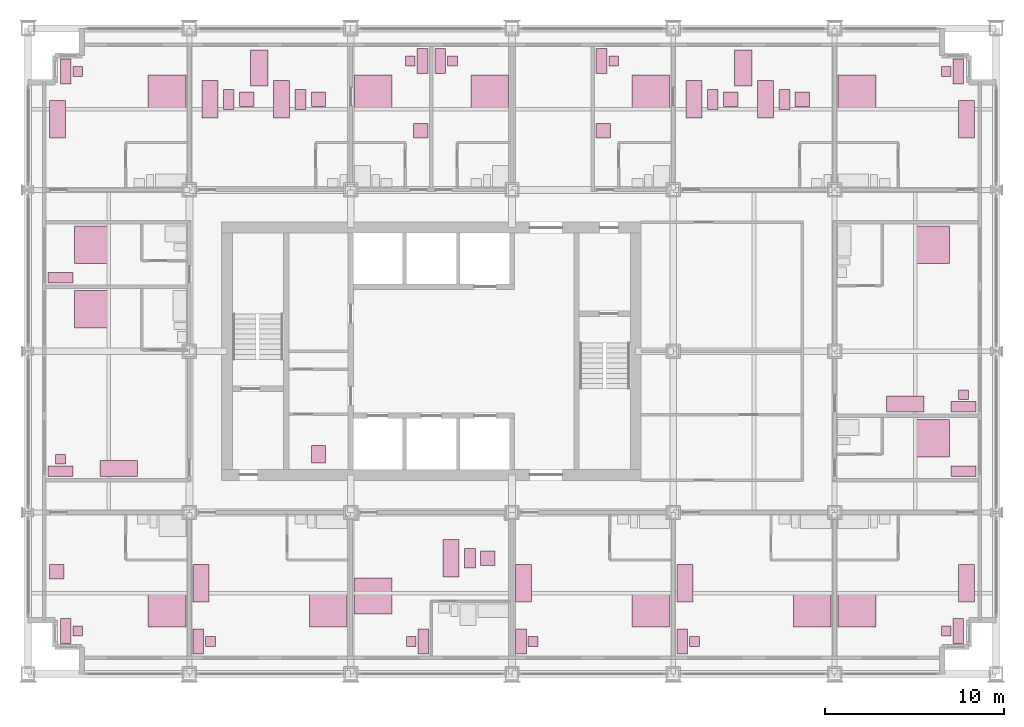
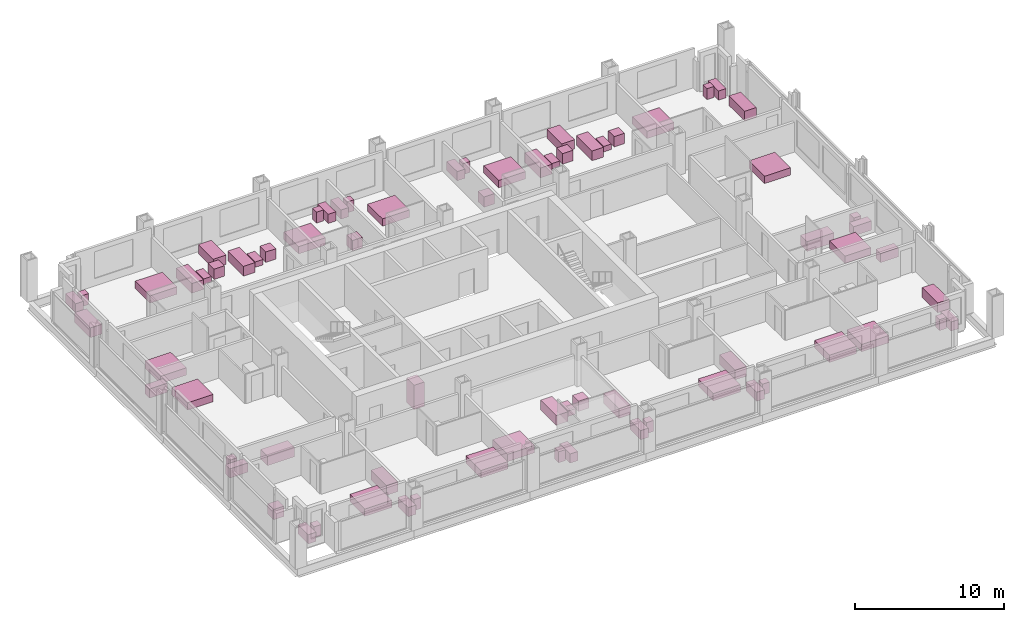
# One storey, part 18 of 18: 72 furniture elements.
"""IFC4 building model written with IfcOpenShell, lengths in metres."""

from ifc_helpers import new_model, si_unit, direction, frame, origin, origin_2d, place, context, subcontext, project, spatial, rectangle, extrude, element, save


model = new_model("IFC4")

# Units and contexts
model_context = context("Model", 3, precision=1e-05, world=origin(), true_north=direction((0.0, 1.0)))
body_context = subcontext(model_context, "Body", "Model", "MODEL_VIEW")
ifc_project = project(units=[si_unit("LENGTHUNIT", "METRE"), si_unit("AREAUNIT", "SQUARE_METRE"), si_unit("VOLUMEUNIT", "CUBIC_METRE"), si_unit("PLANEANGLEUNIT", "RADIAN"), si_unit("MASSUNIT", "GRAM", prefix="KILO")], contexts=[model_context])

# Site, building, storey
site_placement = place(None, origin())
site = spatial("IfcSite", under=ifc_project, at=site_placement, CompositionType="ELEMENT")
building_placement = place(site_placement, origin())
building = spatial("IfcBuilding", under=site, at=building_placement, Name="Loomwork Tower", CompositionType="ELEMENT")
storey_placement = place(building_placement, frame((0.0, 0.0, 45.0)))
storey = spatial("IfcBuildingStorey", under=building, at=storey_placement, Name="L10", CompositionType="ELEMENT", Elevation=45.0)

# Furniture
furniture_1_placement = place(storey_placement, frame((7.75, 3.60009765625, 0.0), z_axis=(0.0, 0.0, 1.0), x_axis=(1.0, 0.0, 0.0)))
element("IfcFurniture", 1, at=furniture_1_placement, inside=storey, Name="King bed L10", PredefinedType="BED", context=body_context, shape_type="SweptSolid", body=[
    extrude(rectangle(XDim=2.10009765625, YDim=2.0, at=origin_2d()), origin(), (0.0, 0.0, 1.0), 0.60009765625),
])
furniture_2_placement = place(storey_placement, frame((2.10009765625, 2.39990234375, 0.0), z_axis=(0.0, 0.0, 1.0), x_axis=(1.0, 0.0, 0.0)))
element("IfcFurniture", 2, at=furniture_2_placement, inside=storey, Name="Writing desk L10", PredefinedType="DESK", context=body_context, shape_type="SweptSolid", body=[
    extrude(rectangle(XDim=0.60009765625, YDim=1.39990234375, at=origin_2d()), origin(), (0.0, 0.0, 1.0), 0.75),
])
furniture_3_placement = place(storey_placement, frame((2.77490234375, 2.39990234375, 0.0), z_axis=(0.0, 0.0, 1.0), x_axis=(1.0, 0.0, 0.0)))
element("IfcFurniture", 3, at=furniture_3_placement, inside=storey, Name="Desk chair L10", PredefinedType="CHAIR", context=body_context, shape_type="SweptSolid", body=[
    extrude(rectangle(XDim=0.550048828125, YDim=0.550048828125, at=origin_2d()), origin(), (0.0, 0.0, 1.0), 0.89990234375),
])
furniture_4_placement = place(storey_placement, frame((1.60009765625, 5.699951171875, 0.0), z_axis=(0.0, 0.0, 1.0), x_axis=(1.0, 0.0, 0.0)))
element("IfcFurniture", 4, at=furniture_4_placement, inside=storey, Name="Lounge armchair L10", PredefinedType="CHAIR", context=body_context, shape_type="SweptSolid", body=[
    extrude(rectangle(XDim=0.800048828125, YDim=0.800048828125, at=origin_2d()), origin(), (0.0, 0.0, 1.0), 0.85009765625),
])
furniture_5_placement = place(storey_placement, frame((16.75, 3.60009765625, 0.0), z_axis=(0.0, 0.0, 1.0), x_axis=(1.0, 0.0, 0.0)))
element("IfcFurniture", 5, at=furniture_5_placement, inside=storey, Name="King bed L10", PredefinedType="BED", context=body_context, shape_type="SweptSolid", body=[
    extrude(rectangle(XDim=2.10009765625, YDim=2.0, at=origin_2d()), origin(), (0.0, 0.0, 1.0), 0.60009765625),
])
furniture_6_placement = place(storey_placement, frame((9.5, 1.800048828125, 0.0), z_axis=(0.0, 0.0, 1.0), x_axis=(1.0, 0.0, 0.0)))
element("IfcFurniture", 6, at=furniture_6_placement, inside=storey, Name="Writing desk L10", PredefinedType="DESK", context=body_context, shape_type="SweptSolid", body=[
    extrude(rectangle(XDim=0.60009765625, YDim=1.39990234375, at=origin_2d()), origin(), (0.0, 0.0, 1.0), 0.75),
])
furniture_7_placement = place(storey_placement, frame((10.175048828125, 1.800048828125, 0.0), z_axis=(0.0, 0.0, 1.0), x_axis=(1.0, 0.0, 0.0)))
element("IfcFurniture", 7, at=furniture_7_placement, inside=storey, Name="Desk chair L10", PredefinedType="CHAIR", context=body_context, shape_type="SweptSolid", body=[
    extrude(rectangle(XDim=0.550048828125, YDim=0.550048828125, at=origin_2d()), origin(), (0.0, 0.0, 1.0), 0.89990234375),
])
furniture_8_placement = place(storey_placement, frame((9.64990234375, 5.050048828125, 0.0), z_axis=(0.0, 0.0, 1.0), x_axis=(1.0, 0.0, 0.0)))
element("IfcFurniture", 8, at=furniture_8_placement, inside=storey, Name="Sofa L10", PredefinedType="SOFA", context=body_context, shape_type="SweptSolid", body=[
    extrude(rectangle(XDim=0.89990234375, YDim=2.10009765625, at=origin_2d()), origin(), (0.0, 0.0, 1.0), 0.800048828125),
])
furniture_9_placement = place(storey_placement, frame((19.25, 4.35009765625, 0.0), z_axis=(0.0, 0.0, 1.0), x_axis=(1.0, 0.0, 0.0)))
element("IfcFurniture", 9, at=furniture_9_placement, inside=storey, Name="King bed L10", PredefinedType="BED", context=body_context, shape_type="SweptSolid", body=[
    extrude(rectangle(XDim=2.10009765625, YDim=2.0, at=origin_2d()), origin(), (0.0, 0.0, 1.0), 0.60009765625),
])
furniture_10_placement = place(storey_placement, frame((22.050048828125, 1.800048828125, 0.0), z_axis=(0.0, 0.0, 1.0), x_axis=(1.0, 0.0, 0.0)))
element("IfcFurniture", 10, at=furniture_10_placement, inside=storey, Name="Writing desk L10", PredefinedType="DESK", context=body_context, shape_type="SweptSolid", body=[
    extrude(rectangle(XDim=0.60009765625, YDim=1.39990234375, at=origin_2d()), origin(), (0.0, 0.0, 1.0), 0.75),
])
furniture_11_placement = place(storey_placement, frame((21.375, 1.800048828125, 0.0), z_axis=(0.0, 0.0, 1.0), x_axis=(1.0, 0.0, 0.0)))
element("IfcFurniture", 11, at=furniture_11_placement, inside=storey, Name="Desk chair L10", PredefinedType="CHAIR", context=body_context, shape_type="SweptSolid", body=[
    extrude(rectangle(XDim=0.550048828125, YDim=0.550048828125, at=origin_2d()), origin(), (0.0, 0.0, 1.0), 0.89990234375),
])
furniture_12_placement = place(storey_placement, frame((23.60009765625, 6.449951171875, 0.0), z_axis=(0.0, 0.0, 1.0), x_axis=(1.0, 0.0, 0.0)))
element("IfcFurniture", 12, at=furniture_12_placement, inside=storey, Name="Sofa L10", PredefinedType="SOFA", context=body_context, shape_type="SweptSolid", body=[
    extrude(rectangle(XDim=0.89990234375, YDim=2.10009765625, at=origin_2d()), origin(), (0.0, 0.0, 1.0), 0.800048828125),
])
furniture_13_placement = place(storey_placement, frame((24.64990234375, 6.449951171875, 0.0), z_axis=(0.0, 0.0, 1.0), x_axis=(1.0, 0.0, 0.0)))
element("IfcFurniture", 13, at=furniture_13_placement, inside=storey, Name="Coffee table L10", PredefinedType="TABLE", context=body_context, shape_type="SweptSolid", body=[
    extrude(rectangle(XDim=0.60009765625, YDim=1.10009765625, at=origin_2d()), origin(), (0.0, 0.0, 1.0), 0.449951171875),
])
furniture_14_placement = place(storey_placement, frame((25.64990234375, 6.449951171875, 0.0), z_axis=(0.0, 0.0, 1.0), x_axis=(1.0, 0.0, 0.0)))
element("IfcFurniture", 14, at=furniture_14_placement, inside=storey, Name="Lounge armchair L10", PredefinedType="CHAIR", context=body_context, shape_type="SweptSolid", body=[
    extrude(rectangle(XDim=0.800048828125, YDim=0.800048828125, at=origin_2d()), origin(), (0.0, 0.0, 1.0), 0.85009765625),
])
furniture_15_placement = place(storey_placement, frame((34.75, 3.60009765625, 0.0), z_axis=(0.0, 0.0, 1.0), x_axis=(1.0, 0.0, 0.0)))
element("IfcFurniture", 15, at=furniture_15_placement, inside=storey, Name="King bed L10", PredefinedType="BED", context=body_context, shape_type="SweptSolid", body=[
    extrude(rectangle(XDim=2.10009765625, YDim=2.0, at=origin_2d()), origin(), (0.0, 0.0, 1.0), 0.60009765625),
])
furniture_16_placement = place(storey_placement, frame((27.5, 1.800048828125, 0.0), z_axis=(0.0, 0.0, 1.0), x_axis=(1.0, 0.0, 0.0)))
element("IfcFurniture", 16, at=furniture_16_placement, inside=storey, Name="Writing desk L10", PredefinedType="DESK", context=body_context, shape_type="SweptSolid", body=[
    extrude(rectangle(XDim=0.60009765625, YDim=1.39990234375, at=origin_2d()), origin(), (0.0, 0.0, 1.0), 0.75),
])
furniture_17_placement = place(storey_placement, frame((28.175048828125, 1.800048828125, 0.0), z_axis=(0.0, 0.0, 1.0), x_axis=(1.0, 0.0, 0.0)))
element("IfcFurniture", 17, at=furniture_17_placement, inside=storey, Name="Desk chair L10", PredefinedType="CHAIR", context=body_context, shape_type="SweptSolid", body=[
    extrude(rectangle(XDim=0.550048828125, YDim=0.550048828125, at=origin_2d()), origin(), (0.0, 0.0, 1.0), 0.89990234375),
])
furniture_18_placement = place(storey_placement, frame((27.64990234375, 5.050048828125, 0.0), z_axis=(0.0, 0.0, 1.0), x_axis=(1.0, 0.0, 0.0)))
element("IfcFurniture", 18, at=furniture_18_placement, inside=storey, Name="Sofa L10", PredefinedType="SOFA", context=body_context, shape_type="SweptSolid", body=[
    extrude(rectangle(XDim=0.89990234375, YDim=2.10009765625, at=origin_2d()), origin(), (0.0, 0.0, 1.0), 0.800048828125),
])
furniture_19_placement = place(storey_placement, frame((43.75, 3.60009765625, 0.0), z_axis=(0.0, 0.0, 1.0), x_axis=(1.0, 0.0, 0.0)))
element("IfcFurniture", 19, at=furniture_19_placement, inside=storey, Name="King bed L10", PredefinedType="BED", context=body_context, shape_type="SweptSolid", body=[
    extrude(rectangle(XDim=2.10009765625, YDim=2.0, at=origin_2d()), origin(), (0.0, 0.0, 1.0), 0.60009765625),
])
furniture_20_placement = place(storey_placement, frame((36.5, 1.800048828125, 0.0), z_axis=(0.0, 0.0, 1.0), x_axis=(1.0, 0.0, 0.0)))
element("IfcFurniture", 20, at=furniture_20_placement, inside=storey, Name="Writing desk L10", PredefinedType="DESK", context=body_context, shape_type="SweptSolid", body=[
    extrude(rectangle(XDim=0.60009765625, YDim=1.39990234375, at=origin_2d()), origin(), (0.0, 0.0, 1.0), 0.75),
])
furniture_21_placement = place(storey_placement, frame((37.175048828125, 1.800048828125, 0.0), z_axis=(0.0, 0.0, 1.0), x_axis=(1.0, 0.0, 0.0)))
element("IfcFurniture", 21, at=furniture_21_placement, inside=storey, Name="Desk chair L10", PredefinedType="CHAIR", context=body_context, shape_type="SweptSolid", body=[
    extrude(rectangle(XDim=0.550048828125, YDim=0.550048828125, at=origin_2d()), origin(), (0.0, 0.0, 1.0), 0.89990234375),
])
furniture_22_placement = place(storey_placement, frame((36.64990234375, 5.050048828125, 0.0), z_axis=(0.0, 0.0, 1.0), x_axis=(1.0, 0.0, 0.0)))
element("IfcFurniture", 22, at=furniture_22_placement, inside=storey, Name="Sofa L10", PredefinedType="SOFA", context=body_context, shape_type="SweptSolid", body=[
    extrude(rectangle(XDim=0.89990234375, YDim=2.10009765625, at=origin_2d()), origin(), (0.0, 0.0, 1.0), 0.800048828125),
])
furniture_23_placement = place(storey_placement, frame((46.25, 3.60009765625, 0.0), z_axis=(0.0, 0.0, 1.0), x_axis=(1.0, 0.0, 0.0)))
element("IfcFurniture", 23, at=furniture_23_placement, inside=storey, Name="King bed L10", PredefinedType="BED", context=body_context, shape_type="SweptSolid", body=[
    extrude(rectangle(XDim=2.10009765625, YDim=2.0, at=origin_2d()), origin(), (0.0, 0.0, 1.0), 0.60009765625),
])
furniture_24_placement = place(storey_placement, frame((51.89990234375, 2.39990234375, 0.0), z_axis=(0.0, 0.0, 1.0), x_axis=(1.0, 0.0, 0.0)))
element("IfcFurniture", 24, at=furniture_24_placement, inside=storey, Name="Writing desk L10", PredefinedType="DESK", context=body_context, shape_type="SweptSolid", body=[
    extrude(rectangle(XDim=0.60009765625, YDim=1.39990234375, at=origin_2d()), origin(), (0.0, 0.0, 1.0), 0.75),
])
furniture_25_placement = place(storey_placement, frame((51.22509765625, 2.39990234375, 0.0), z_axis=(0.0, 0.0, 1.0), x_axis=(1.0, 0.0, 0.0)))
element("IfcFurniture", 25, at=furniture_25_placement, inside=storey, Name="Desk chair L10", PredefinedType="CHAIR", context=body_context, shape_type="SweptSolid", body=[
    extrude(rectangle(XDim=0.550048828125, YDim=0.550048828125, at=origin_2d()), origin(), (0.0, 0.0, 1.0), 0.89990234375),
])
furniture_26_placement = place(storey_placement, frame((52.35009765625, 5.050048828125, 0.0), z_axis=(0.0, 0.0, 1.0), x_axis=(1.0, 0.0, 0.0)))
element("IfcFurniture", 26, at=furniture_26_placement, inside=storey, Name="Sofa L10", PredefinedType="SOFA", context=body_context, shape_type="SweptSolid", body=[
    extrude(rectangle(XDim=0.89990234375, YDim=2.10009765625, at=origin_2d()), origin(), (0.0, 0.0, 1.0), 0.800048828125),
])
furniture_27_placement = place(storey_placement, frame((7.75, 32.39990234375, 0.0), z_axis=(0.0, 0.0, 1.0), x_axis=(1.0, 0.0, 0.0)))
element("IfcFurniture", 27, at=furniture_27_placement, inside=storey, Name="King bed L10", PredefinedType="BED", context=body_context, shape_type="SweptSolid", body=[
    extrude(rectangle(XDim=2.10009765625, YDim=2.0, at=origin_2d()), origin(), (0.0, 0.0, 1.0), 0.60009765625),
])
furniture_28_placement = place(storey_placement, frame((2.10009765625, 33.60009765625, 0.0), z_axis=(0.0, 0.0, 1.0), x_axis=(1.0, 0.0, 0.0)))
element("IfcFurniture", 28, at=furniture_28_placement, inside=storey, Name="Writing desk L10", PredefinedType="DESK", context=body_context, shape_type="SweptSolid", body=[
    extrude(rectangle(XDim=0.60009765625, YDim=1.39990234375, at=origin_2d()), origin(), (0.0, 0.0, 1.0), 0.75),
])
furniture_29_placement = place(storey_placement, frame((2.77490234375, 33.60009765625, 0.0), z_axis=(0.0, 0.0, 1.0), x_axis=(1.0, 0.0, 0.0)))
element("IfcFurniture", 29, at=furniture_29_placement, inside=storey, Name="Desk chair L10", PredefinedType="CHAIR", context=body_context, shape_type="SweptSolid", body=[
    extrude(rectangle(XDim=0.550048828125, YDim=0.550048828125, at=origin_2d()), origin(), (0.0, 0.0, 1.0), 0.89990234375),
])
for number, where, z_axis, x_axis, name in (
    (30, (1.64990234375, 30.949951171875, 0.0), (0.0, 0.0, 1.0), (1.0, 0.0, 0.0), "Sofa L10"),
    (31, (10.14990234375, 32.050048828125, 0.0), (0.0, 0.0, 1.0), (1.0, 0.0, 0.0), "Sofa L10"),
):
    element("IfcFurniture", number, at=place(storey_placement, frame(where, z_axis=z_axis, x_axis=x_axis)), inside=storey, Name=name, PredefinedType="SOFA", context=body_context, shape_type="SweptSolid", body=[
        extrude(rectangle(XDim=0.89990234375, YDim=2.10009765625, at=origin_2d()), origin(), (0.0, 0.0, 1.0), 0.800048828125),
    ])
furniture_30_placement = place(storey_placement, frame((11.199951171875, 32.050048828125, 0.0), z_axis=(0.0, 0.0, 1.0), x_axis=(1.0, 0.0, 0.0)))
element("IfcFurniture", 32, at=furniture_30_placement, inside=storey, Name="Coffee table L10", PredefinedType="TABLE", context=body_context, shape_type="SweptSolid", body=[
    extrude(rectangle(XDim=0.60009765625, YDim=1.10009765625, at=origin_2d()), origin(), (0.0, 0.0, 1.0), 0.449951171875),
])
furniture_31_placement = place(storey_placement, frame((12.199951171875, 32.050048828125, 0.0), z_axis=(0.0, 0.0, 1.0), x_axis=(1.0, 0.0, 0.0)))
element("IfcFurniture", 33, at=furniture_31_placement, inside=storey, Name="Lounge armchair L10", PredefinedType="CHAIR", context=body_context, shape_type="SweptSolid", body=[
    extrude(rectangle(XDim=0.800048828125, YDim=0.800048828125, at=origin_2d()), origin(), (0.0, 0.0, 1.0), 0.85009765625),
])
furniture_32_placement = place(storey_placement, frame((14.14990234375, 32.050048828125, 0.0), z_axis=(0.0, 0.0, 1.0), x_axis=(1.0, 0.0, 0.0)))
element("IfcFurniture", 34, at=furniture_32_placement, inside=storey, Name="Sofa L10", PredefinedType="SOFA", context=body_context, shape_type="SweptSolid", body=[
    extrude(rectangle(XDim=0.89990234375, YDim=2.10009765625, at=origin_2d()), origin(), (0.0, 0.0, 1.0), 0.800048828125),
])
furniture_33_placement = place(storey_placement, frame((15.199951171875, 32.050048828125, 0.0), z_axis=(0.0, 0.0, 1.0), x_axis=(1.0, 0.0, 0.0)))
element("IfcFurniture", 35, at=furniture_33_placement, inside=storey, Name="Coffee table L10", PredefinedType="TABLE", context=body_context, shape_type="SweptSolid", body=[
    extrude(rectangle(XDim=0.60009765625, YDim=1.10009765625, at=origin_2d()), origin(), (0.0, 0.0, 1.0), 0.449951171875),
])
furniture_34_placement = place(storey_placement, frame((16.199951171875, 32.050048828125, 0.0), z_axis=(0.0, 0.0, 1.0), x_axis=(1.0, 0.0, 0.0)))
element("IfcFurniture", 36, at=furniture_34_placement, inside=storey, Name="Lounge armchair L10", PredefinedType="CHAIR", context=body_context, shape_type="SweptSolid", body=[
    extrude(rectangle(XDim=0.800048828125, YDim=0.800048828125, at=origin_2d()), origin(), (0.0, 0.0, 1.0), 0.85009765625),
])
furniture_35_placement = place(storey_placement, frame((12.89990234375, 33.800048828125, 0.0), z_axis=(0.0, 0.0, 1.0), x_axis=(1.0, 0.0, 0.0)))
element("IfcFurniture", 37, at=furniture_35_placement, inside=storey, Name="Dining table L10", PredefinedType="TABLE", context=body_context, shape_type="SweptSolid", body=[
    extrude(rectangle(XDim=1.0, YDim=2.0, at=origin_2d()), origin(), (0.0, 0.0, 1.0), 0.75),
])
furniture_36_placement = place(storey_placement, frame((19.25, 32.39990234375, 0.0), z_axis=(0.0, 0.0, 1.0), x_axis=(1.0, 0.0, 0.0)))
element("IfcFurniture", 38, at=furniture_36_placement, inside=storey, Name="King bed L10", PredefinedType="BED", context=body_context, shape_type="SweptSolid", body=[
    extrude(rectangle(XDim=2.10009765625, YDim=2.0, at=origin_2d()), origin(), (0.0, 0.0, 1.0), 0.60009765625),
])
furniture_37_placement = place(storey_placement, frame((22.0, 34.199951171875, 0.0), z_axis=(0.0, 0.0, 1.0), x_axis=(1.0, 0.0, 0.0)))
element("IfcFurniture", 39, at=furniture_37_placement, inside=storey, Name="Writing desk L10", PredefinedType="DESK", context=body_context, shape_type="SweptSolid", body=[
    extrude(rectangle(XDim=0.60009765625, YDim=1.39990234375, at=origin_2d()), origin(), (0.0, 0.0, 1.0), 0.75),
])
furniture_38_placement = place(storey_placement, frame((21.324951171875, 34.199951171875, 0.0), z_axis=(0.0, 0.0, 1.0), x_axis=(1.0, 0.0, 0.0)))
element("IfcFurniture", 40, at=furniture_38_placement, inside=storey, Name="Desk chair L10", PredefinedType="CHAIR", context=body_context, shape_type="SweptSolid", body=[
    extrude(rectangle(XDim=0.550048828125, YDim=0.550048828125, at=origin_2d()), origin(), (0.0, 0.0, 1.0), 0.89990234375),
])
furniture_39_placement = place(storey_placement, frame((21.89990234375, 30.300048828125, 0.0), z_axis=(0.0, 0.0, 1.0), x_axis=(1.0, 0.0, 0.0)))
element("IfcFurniture", 41, at=furniture_39_placement, inside=storey, Name="Lounge armchair L10", PredefinedType="CHAIR", context=body_context, shape_type="SweptSolid", body=[
    extrude(rectangle(XDim=0.800048828125, YDim=0.800048828125, at=origin_2d()), origin(), (0.0, 0.0, 1.0), 0.85009765625),
])
furniture_40_placement = place(storey_placement, frame((25.75, 32.39990234375, 0.0), z_axis=(0.0, 0.0, 1.0), x_axis=(1.0, 0.0, 0.0)))
element("IfcFurniture", 42, at=furniture_40_placement, inside=storey, Name="King bed L10", PredefinedType="BED", context=body_context, shape_type="SweptSolid", body=[
    extrude(rectangle(XDim=2.10009765625, YDim=2.0, at=origin_2d()), origin(), (0.0, 0.0, 1.0), 0.60009765625),
])
furniture_41_placement = place(storey_placement, frame((23.0, 34.199951171875, 0.0), z_axis=(0.0, 0.0, 1.0), x_axis=(1.0, 0.0, 0.0)))
element("IfcFurniture", 43, at=furniture_41_placement, inside=storey, Name="Writing desk L10", PredefinedType="DESK", context=body_context, shape_type="SweptSolid", body=[
    extrude(rectangle(XDim=0.60009765625, YDim=1.39990234375, at=origin_2d()), origin(), (0.0, 0.0, 1.0), 0.75),
])
furniture_42_placement = place(storey_placement, frame((23.675048828125, 34.199951171875, 0.0), z_axis=(0.0, 0.0, 1.0), x_axis=(1.0, 0.0, 0.0)))
element("IfcFurniture", 44, at=furniture_42_placement, inside=storey, Name="Desk chair L10", PredefinedType="CHAIR", context=body_context, shape_type="SweptSolid", body=[
    extrude(rectangle(XDim=0.550048828125, YDim=0.550048828125, at=origin_2d()), origin(), (0.0, 0.0, 1.0), 0.89990234375),
])
furniture_43_placement = place(storey_placement, frame((34.75, 32.39990234375, 0.0), z_axis=(0.0, 0.0, 1.0), x_axis=(1.0, 0.0, 0.0)))
element("IfcFurniture", 45, at=furniture_43_placement, inside=storey, Name="King bed L10", PredefinedType="BED", context=body_context, shape_type="SweptSolid", body=[
    extrude(rectangle(XDim=2.10009765625, YDim=2.0, at=origin_2d()), origin(), (0.0, 0.0, 1.0), 0.60009765625),
])
furniture_44_placement = place(storey_placement, frame((32.0, 34.199951171875, 0.0), z_axis=(0.0, 0.0, 1.0), x_axis=(1.0, 0.0, 0.0)))
element("IfcFurniture", 46, at=furniture_44_placement, inside=storey, Name="Writing desk L10", PredefinedType="DESK", context=body_context, shape_type="SweptSolid", body=[
    extrude(rectangle(XDim=0.60009765625, YDim=1.39990234375, at=origin_2d()), origin(), (0.0, 0.0, 1.0), 0.75),
])
furniture_45_placement = place(storey_placement, frame((32.675048828125, 34.199951171875, 0.0), z_axis=(0.0, 0.0, 1.0), x_axis=(1.0, 0.0, 0.0)))
element("IfcFurniture", 47, at=furniture_45_placement, inside=storey, Name="Desk chair L10", PredefinedType="CHAIR", context=body_context, shape_type="SweptSolid", body=[
    extrude(rectangle(XDim=0.550048828125, YDim=0.550048828125, at=origin_2d()), origin(), (0.0, 0.0, 1.0), 0.89990234375),
])
furniture_46_placement = place(storey_placement, frame((32.10009765625, 30.300048828125, 0.0), z_axis=(0.0, 0.0, 1.0), x_axis=(1.0, 0.0, 0.0)))
element("IfcFurniture", 48, at=furniture_46_placement, inside=storey, Name="Lounge armchair L10", PredefinedType="CHAIR", context=body_context, shape_type="SweptSolid", body=[
    extrude(rectangle(XDim=0.800048828125, YDim=0.800048828125, at=origin_2d()), origin(), (0.0, 0.0, 1.0), 0.85009765625),
])
furniture_47_placement = place(storey_placement, frame((37.14990234375, 32.050048828125, 0.0), z_axis=(0.0, 0.0, 1.0), x_axis=(1.0, 0.0, 0.0)))
element("IfcFurniture", 49, at=furniture_47_placement, inside=storey, Name="Sofa L10", PredefinedType="SOFA", context=body_context, shape_type="SweptSolid", body=[
    extrude(rectangle(XDim=0.89990234375, YDim=2.10009765625, at=origin_2d()), origin(), (0.0, 0.0, 1.0), 0.800048828125),
])
furniture_48_placement = place(storey_placement, frame((38.199951171875, 32.050048828125, 0.0), z_axis=(0.0, 0.0, 1.0), x_axis=(1.0, 0.0, 0.0)))
element("IfcFurniture", 50, at=furniture_48_placement, inside=storey, Name="Coffee table L10", PredefinedType="TABLE", context=body_context, shape_type="SweptSolid", body=[
    extrude(rectangle(XDim=0.60009765625, YDim=1.10009765625, at=origin_2d()), origin(), (0.0, 0.0, 1.0), 0.449951171875),
])
furniture_49_placement = place(storey_placement, frame((39.199951171875, 32.050048828125, 0.0), z_axis=(0.0, 0.0, 1.0), x_axis=(1.0, 0.0, 0.0)))
element("IfcFurniture", 51, at=furniture_49_placement, inside=storey, Name="Lounge armchair L10", PredefinedType="CHAIR", context=body_context, shape_type="SweptSolid", body=[
    extrude(rectangle(XDim=0.800048828125, YDim=0.800048828125, at=origin_2d()), origin(), (0.0, 0.0, 1.0), 0.85009765625),
])
furniture_50_placement = place(storey_placement, frame((41.14990234375, 32.050048828125, 0.0), z_axis=(0.0, 0.0, 1.0), x_axis=(1.0, 0.0, 0.0)))
element("IfcFurniture", 52, at=furniture_50_placement, inside=storey, Name="Sofa L10", PredefinedType="SOFA", context=body_context, shape_type="SweptSolid", body=[
    extrude(rectangle(XDim=0.89990234375, YDim=2.10009765625, at=origin_2d()), origin(), (0.0, 0.0, 1.0), 0.800048828125),
])
furniture_51_placement = place(storey_placement, frame((42.199951171875, 32.050048828125, 0.0), z_axis=(0.0, 0.0, 1.0), x_axis=(1.0, 0.0, 0.0)))
element("IfcFurniture", 53, at=furniture_51_placement, inside=storey, Name="Coffee table L10", PredefinedType="TABLE", context=body_context, shape_type="SweptSolid", body=[
    extrude(rectangle(XDim=0.60009765625, YDim=1.10009765625, at=origin_2d()), origin(), (0.0, 0.0, 1.0), 0.449951171875),
])
furniture_52_placement = place(storey_placement, frame((43.199951171875, 32.050048828125, 0.0), z_axis=(0.0, 0.0, 1.0), x_axis=(1.0, 0.0, 0.0)))
element("IfcFurniture", 54, at=furniture_52_placement, inside=storey, Name="Lounge armchair L10", PredefinedType="CHAIR", context=body_context, shape_type="SweptSolid", body=[
    extrude(rectangle(XDim=0.800048828125, YDim=0.800048828125, at=origin_2d()), origin(), (0.0, 0.0, 1.0), 0.85009765625),
])
furniture_53_placement = place(storey_placement, frame((39.89990234375, 33.800048828125, 0.0), z_axis=(0.0, 0.0, 1.0), x_axis=(1.0, 0.0, 0.0)))
element("IfcFurniture", 55, at=furniture_53_placement, inside=storey, Name="Dining table L10", PredefinedType="TABLE", context=body_context, shape_type="SweptSolid", body=[
    extrude(rectangle(XDim=1.0, YDim=2.0, at=origin_2d()), origin(), (0.0, 0.0, 1.0), 0.75),
])
furniture_54_placement = place(storey_placement, frame((46.25, 32.39990234375, 0.0), z_axis=(0.0, 0.0, 1.0), x_axis=(1.0, 0.0, 0.0)))
element("IfcFurniture", 56, at=furniture_54_placement, inside=storey, Name="King bed L10", PredefinedType="BED", context=body_context, shape_type="SweptSolid", body=[
    extrude(rectangle(XDim=2.10009765625, YDim=2.0, at=origin_2d()), origin(), (0.0, 0.0, 1.0), 0.60009765625),
])
furniture_55_placement = place(storey_placement, frame((51.89990234375, 33.60009765625, 0.0), z_axis=(0.0, 0.0, 1.0), x_axis=(1.0, 0.0, 0.0)))
element("IfcFurniture", 57, at=furniture_55_placement, inside=storey, Name="Writing desk L10", PredefinedType="DESK", context=body_context, shape_type="SweptSolid", body=[
    extrude(rectangle(XDim=0.60009765625, YDim=1.39990234375, at=origin_2d()), origin(), (0.0, 0.0, 1.0), 0.75),
])
furniture_56_placement = place(storey_placement, frame((51.22509765625, 33.60009765625, 0.0), z_axis=(0.0, 0.0, 1.0), x_axis=(1.0, 0.0, 0.0)))
element("IfcFurniture", 58, at=furniture_56_placement, inside=storey, Name="Desk chair L10", PredefinedType="CHAIR", context=body_context, shape_type="SweptSolid", body=[
    extrude(rectangle(XDim=0.550048828125, YDim=0.550048828125, at=origin_2d()), origin(), (0.0, 0.0, 1.0), 0.89990234375),
])
furniture_57_placement = place(storey_placement, frame((52.35009765625, 30.949951171875, 0.0), z_axis=(0.0, 0.0, 1.0), x_axis=(1.0, 0.0, 0.0)))
element("IfcFurniture", 59, at=furniture_57_placement, inside=storey, Name="Sofa L10", PredefinedType="SOFA", context=body_context, shape_type="SweptSolid", body=[
    extrude(rectangle(XDim=0.89990234375, YDim=2.10009765625, at=origin_2d()), origin(), (0.0, 0.0, 1.0), 0.800048828125),
])
furniture_58_placement = place(storey_placement, frame((3.60009765625, 20.35009765625, 0.0), z_axis=(0.0, 0.0, 1.0), x_axis=(1.0, 0.0, 0.0)))
element("IfcFurniture", 60, at=furniture_58_placement, inside=storey, Name="King bed L10", PredefinedType="BED", context=body_context, shape_type="SweptSolid", body=[
    extrude(rectangle(XDim=2.0, YDim=2.10009765625, at=origin_2d()), origin(), (0.0, 0.0, 1.0), 0.60009765625),
])
furniture_59_placement = place(storey_placement, frame((1.800048828125, 11.300048828125, 0.0), z_axis=(0.0, 0.0, 1.0), x_axis=(1.0, 0.0, 0.0)))
element("IfcFurniture", 61, at=furniture_59_placement, inside=storey, Name="Writing desk L10", PredefinedType="DESK", context=body_context, shape_type="SweptSolid", body=[
    extrude(rectangle(XDim=1.39990234375, YDim=0.60009765625, at=origin_2d()), origin(), (0.0, 0.0, 1.0), 0.75),
])
furniture_60_placement = place(storey_placement, frame((1.800048828125, 11.97509765625, 0.0), z_axis=(0.0, 0.0, 1.0), x_axis=(1.0, 0.0, 0.0)))
element("IfcFurniture", 62, at=furniture_60_placement, inside=storey, Name="Desk chair L10", PredefinedType="CHAIR", context=body_context, shape_type="SweptSolid", body=[
    extrude(rectangle(XDim=0.550048828125, YDim=0.550048828125, at=origin_2d()), origin(), (0.0, 0.0, 1.0), 0.89990234375),
])
furniture_61_placement = place(storey_placement, frame((5.050048828125, 11.449951171875, 0.0), z_axis=(0.0, 0.0, 1.0), x_axis=(1.0, 0.0, 0.0)))
element("IfcFurniture", 63, at=furniture_61_placement, inside=storey, Name="Sofa L10", PredefinedType="SOFA", context=body_context, shape_type="SweptSolid", body=[
    extrude(rectangle(XDim=2.10009765625, YDim=0.89990234375, at=origin_2d()), origin(), (0.0, 0.0, 1.0), 0.800048828125),
])
furniture_62_placement = place(storey_placement, frame((3.60009765625, 23.949951171875, 0.0), z_axis=(0.0, 0.0, 1.0), x_axis=(1.0, 0.0, 0.0)))
element("IfcFurniture", 64, at=furniture_62_placement, inside=storey, Name="King bed L10", PredefinedType="BED", context=body_context, shape_type="SweptSolid", body=[
    extrude(rectangle(XDim=2.0, YDim=2.10009765625, at=origin_2d()), origin(), (0.0, 0.0, 1.0), 0.60009765625),
])
furniture_63_placement = place(storey_placement, frame((1.800048828125, 22.10009765625, 0.0), z_axis=(0.0, 0.0, 1.0), x_axis=(1.0, 0.0, 0.0)))
element("IfcFurniture", 65, at=furniture_63_placement, inside=storey, Name="Writing desk L10", PredefinedType="DESK", context=body_context, shape_type="SweptSolid", body=[
    extrude(rectangle(XDim=1.39990234375, YDim=0.60009765625, at=origin_2d()), origin(), (0.0, 0.0, 1.0), 0.75),
])
furniture_64_placement = place(storey_placement, frame((50.39990234375, 13.14990234375, 0.0), z_axis=(0.0, 0.0, 1.0), x_axis=(1.0, 0.0, 0.0)))
element("IfcFurniture", 66, at=furniture_64_placement, inside=storey, Name="King bed L10", PredefinedType="BED", context=body_context, shape_type="SweptSolid", body=[
    extrude(rectangle(XDim=2.0, YDim=2.10009765625, at=origin_2d()), origin(), (0.0, 0.0, 1.0), 0.60009765625),
])
furniture_65_placement = place(storey_placement, frame((52.199951171875, 11.300048828125, 0.0), z_axis=(0.0, 0.0, 1.0), x_axis=(1.0, 0.0, 0.0)))
element("IfcFurniture", 67, at=furniture_65_placement, inside=storey, Name="Writing desk L10", PredefinedType="DESK", context=body_context, shape_type="SweptSolid", body=[
    extrude(rectangle(XDim=1.39990234375, YDim=0.60009765625, at=origin_2d()), origin(), (0.0, 0.0, 1.0), 0.75),
])
furniture_66_placement = place(storey_placement, frame((50.39990234375, 23.949951171875, 0.0), z_axis=(0.0, 0.0, 1.0), x_axis=(1.0, 0.0, 0.0)))
element("IfcFurniture", 68, at=furniture_66_placement, inside=storey, Name="King bed L10", PredefinedType="BED", context=body_context, shape_type="SweptSolid", body=[
    extrude(rectangle(XDim=2.0, YDim=2.10009765625, at=origin_2d()), origin(), (0.0, 0.0, 1.0), 0.60009765625),
])
furniture_67_placement = place(storey_placement, frame((52.199951171875, 14.89990234375, 0.0), z_axis=(0.0, 0.0, 1.0), x_axis=(1.0, 0.0, 0.0)))
element("IfcFurniture", 69, at=furniture_67_placement, inside=storey, Name="Writing desk L10", PredefinedType="DESK", context=body_context, shape_type="SweptSolid", body=[
    extrude(rectangle(XDim=1.39990234375, YDim=0.60009765625, at=origin_2d()), origin(), (0.0, 0.0, 1.0), 0.75),
])
furniture_68_placement = place(storey_placement, frame((52.199951171875, 15.574951171875, 0.0), z_axis=(0.0, 0.0, 1.0), x_axis=(1.0, 0.0, 0.0)))
element("IfcFurniture", 70, at=furniture_68_placement, inside=storey, Name="Desk chair L10", PredefinedType="CHAIR", context=body_context, shape_type="SweptSolid", body=[
    extrude(rectangle(XDim=0.550048828125, YDim=0.550048828125, at=origin_2d()), origin(), (0.0, 0.0, 1.0), 0.89990234375),
])
furniture_69_placement = place(storey_placement, frame((48.949951171875, 15.050048828125, 0.0), z_axis=(0.0, 0.0, 1.0), x_axis=(1.0, 0.0, 0.0)))
element("IfcFurniture", 71, at=furniture_69_placement, inside=storey, Name="Sofa L10", PredefinedType="SOFA", context=body_context, shape_type="SweptSolid", body=[
    extrude(rectangle(XDim=2.10009765625, YDim=0.89990234375, at=origin_2d()), origin(), (0.0, 0.0, 1.0), 0.800048828125),
])
furniture_70_placement = place(storey_placement, frame((16.199951171875, 12.25, 0.0), z_axis=(0.0, 0.0, 1.0), x_axis=(1.0, 0.0, 0.0)))
element("IfcFurniture", 72, at=furniture_70_placement, inside=storey, Name="Data cabinet L10", ObjectType="DATA CABINET", PredefinedType="USERDEFINED", context=body_context, shape_type="SweptSolid", body=[
    extrude(rectangle(XDim=0.800048828125, YDim=1.0, at=origin_2d()), origin(), (0.0, 0.0, 1.0), 2.0),
])

save(model, "model.ifc")
